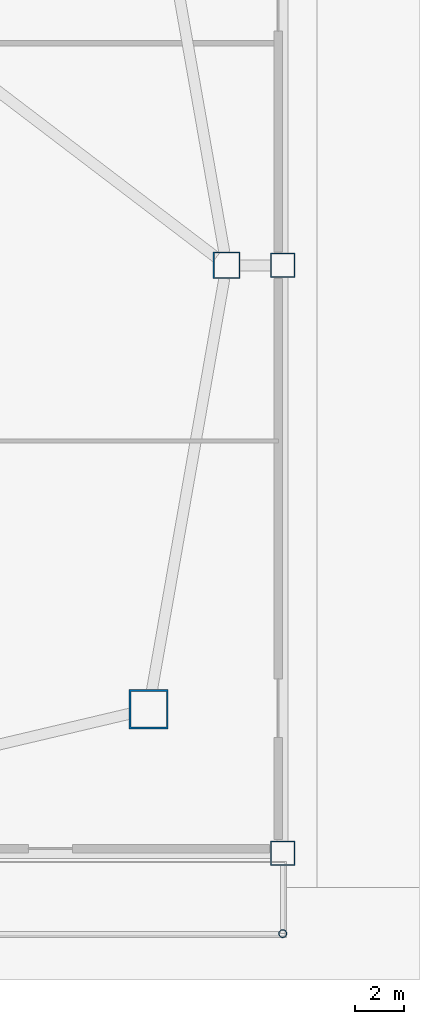
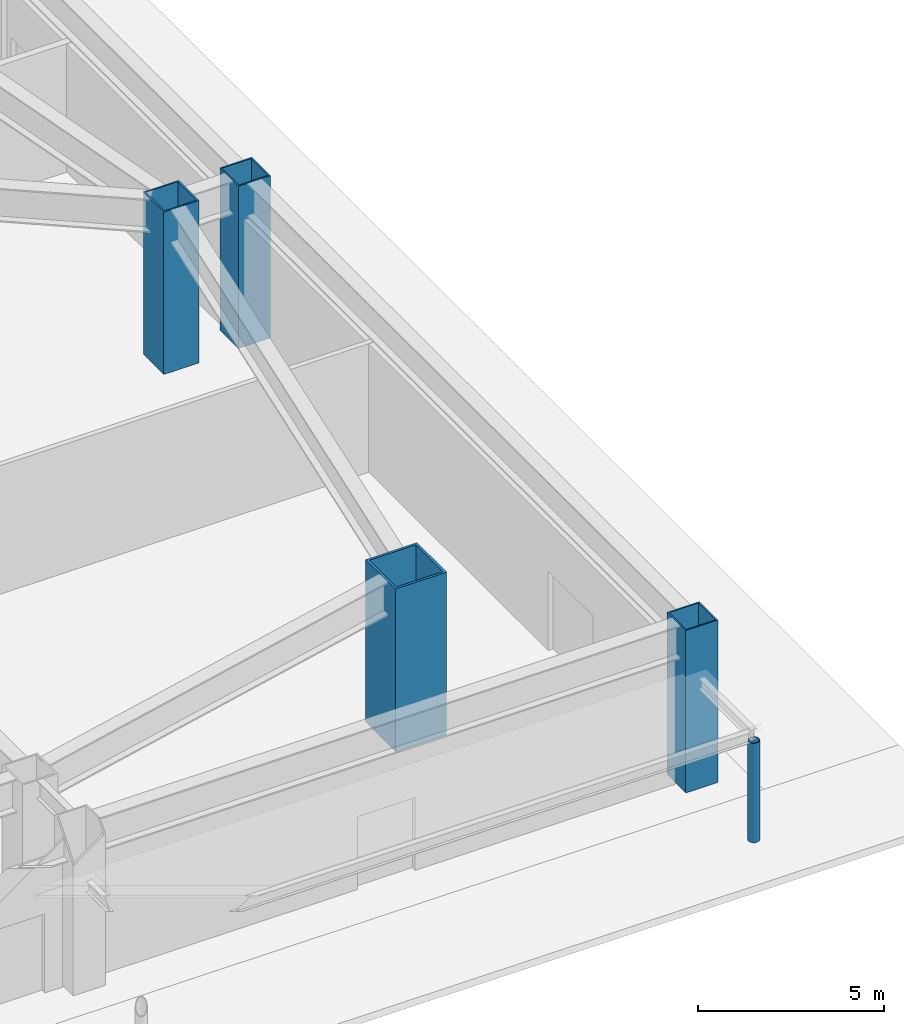
# One storey, part 4 of 18: 5 columns.
"""IFC4 building model written with IfcOpenShell, lengths in metres."""

from ifc_helpers import new_model, si_unit, direction, frame, origin, origin_2d, place, context, subcontext, project, spatial, hollow_rectangle, hollow_circle, extrude, source, transform, mapped, material, material_profile, profile_set, type_object, element, save


model = new_model("IFC4")

# Units and contexts
model_context = context("Model", 3, precision=1e-05, world=origin(), true_north=direction((0.0, 1.0)))
body_context = subcontext(model_context, "Body", "Model", "MODEL_VIEW")
ifc_project = project(units=[si_unit("LENGTHUNIT", "METRE"), si_unit("AREAUNIT", "SQUARE_METRE"), si_unit("VOLUMEUNIT", "CUBIC_METRE"), si_unit("PLANEANGLEUNIT", "RADIAN"), si_unit("MASSUNIT", "GRAM", prefix="KILO")], contexts=[model_context])

# Site, building, storey
site_placement = place(None, origin())
site = spatial("IfcSite", under=ifc_project, at=site_placement, CompositionType="ELEMENT")
building_placement = place(site_placement, origin())
building = spatial("IfcBuilding", under=site, at=building_placement, Name="Giltprow Tower", CompositionType="ELEMENT")
storey_placement = place(building_placement, origin())
storey = spatial("IfcBuildingStorey", under=building, at=storey_placement, Name="L01", CompositionType="ELEMENT", Elevation=0.0)

# Columns
ifc_material_1 = material(Name="Structural steel Q420GJC", Category="steel")
ifc_material_profile_1 = material_profile(ifc_material_1, hollow_rectangle(XDim=1.60009765625, YDim=1.60009765625, WallThickness=0.074951171875, at=origin_2d()), Name="BOX 1600x1600x75")
ifc_profile_set_1 = profile_set([ifc_material_profile_1], Name="Structural steel Q420GJC")
column_type_1 = type_object("IfcColumnType", Name="COL-BOX-1600x1600x75", PredefinedType="COLUMN", material=ifc_profile_set_1)
shared_shape_1 = source(origin(), body_context, "Body", "SweptSolid", [
    extrude(hollow_rectangle(XDim=1.60009765625, YDim=1.60009765625, WallThickness=0.074951171875, at=origin_2d()), origin(), (0.0, 0.0, 1.0), 5.340087890625),
])
column_1_placement = place(storey_placement, frame((64.10009765625, 6.5, 0.0), z_axis=(0.0, 0.0, 1.0), x_axis=(1.0, 0.0, 0.0)))
element("IfcColumn", 1, at=column_1_placement, inside=storey, type_object=column_type_1, Name="L01 Continuous Tower Column MC_SE", PredefinedType="COLUMN", context=body_context, shape_type="MappedRepresentation", body=[
    mapped(shared_shape_1, transform((0.0, 0.0, 0.0), x_axis=(1.0, 0.0, 0.0), y_axis=(0.0, 1.0, 0.0), z_axis=(0.0, 0.0, 1.0), scale=1.0)),
])
ifc_material_profile_2 = material_profile(ifc_material_1, hollow_rectangle(XDim=1.10009765625, YDim=1.10009765625, WallThickness=0.050048828125, at=origin_2d()), Name="BOX 1100x1100x50")
ifc_profile_set_2 = profile_set([ifc_material_profile_2], Name="Structural steel Q420GJC")
column_type_2 = type_object("IfcColumnType", Name="COL-BOX-1100x1100x50", PredefinedType="COLUMN", material=ifc_profile_set_2)
shared_shape_2 = source(origin(), body_context, "Body", "SweptSolid", [
    extrude(hollow_rectangle(XDim=1.10009765625, YDim=1.10009765625, WallThickness=0.050048828125, at=origin_2d()), origin(), (0.0, 0.0, 1.0), 5.340087890625),
])
column_2_placement = place(storey_placement, frame((67.300048828125, 24.699951171875, 0.0), z_axis=(0.0, 0.0, 1.0), x_axis=(1.0, 0.0, 0.0)))
element("IfcColumn", 2, at=column_2_placement, inside=storey, type_object=column_type_2, Name="L01 Continuous Tower Column E_MID", PredefinedType="COLUMN", context=body_context, shape_type="MappedRepresentation", body=[
    mapped(shared_shape_2, transform((0.0, 0.0, 0.0), x_axis=(1.0, 0.0, 0.0), y_axis=(0.0, 1.0, 0.0), z_axis=(0.0, 0.0, 1.0), scale=1.0)),
])
ifc_material_profile_3 = material_profile(ifc_material_1, hollow_rectangle(XDim=1.0, YDim=1.0, WallThickness=0.044921875, at=origin_2d()), Name="BOX 1000x1000x45")
ifc_profile_set_3 = profile_set([ifc_material_profile_3], Name="Structural steel Q420GJC")
column_type_3 = type_object("IfcColumnType", Name="COL-BOX-1000x1000x45", PredefinedType="COLUMN", material=ifc_profile_set_3)
shared_shape_3 = source(origin(), body_context, "Body", "SweptSolid", [
    extrude(hollow_rectangle(XDim=1.0, YDim=1.0, WallThickness=0.044921875, at=origin_2d()), origin(), (0.0, 0.0, 1.0), 5.340087890625),
])
for number, where, z_axis, x_axis, name in (
    (3, (69.60009765625, 0.60009765625, 0.0), (0.0, 0.0, 1.0), (1.0, 0.0, 0.0), "L01 Podium Column (69.6,0.6)"),
    (4, (69.60009765625, 24.699951171875, 0.0), (0.0, 0.0, 1.0), (1.0, 0.0, 0.0), "L01 Podium Column (69.6,24.7)"),
):
    element("IfcColumn", number, at=place(storey_placement, frame(where, z_axis=z_axis, x_axis=x_axis)), inside=storey, type_object=column_type_3, Name=name, PredefinedType="COLUMN", context=body_context, shape_type="MappedRepresentation", body=[
        mapped(shared_shape_3, transform((0.0, 0.0, 0.0), x_axis=(1.0, 0.0, 0.0), y_axis=(0.0, 1.0, 0.0), z_axis=(0.0, 0.0, 1.0), scale=1.0)),
    ])
ifc_material_2 = material(Name="Structural steel Q355B", Category="steel")
ifc_material_profile_4 = material_profile(ifc_material_2, hollow_circle(Radius=0.16259765625, WallThickness=0.01611328125, at=origin_2d()), Name="CHS 325x16")
ifc_profile_set_4 = profile_set([ifc_material_profile_4], Name="Structural steel Q355B")
column_type_4 = type_object("IfcColumnType", Name="COL-CANOPY-POST", PredefinedType="COLUMN", material=ifc_profile_set_4)
shared_shape_4 = source(origin(), body_context, "Body", "SweptSolid", [
    extrude(hollow_circle(Radius=0.16259765625, WallThickness=0.01611328125, at=origin_2d()), origin(), (0.0, 0.0, 1.0), 3.27001953125),
])
column_3_placement = place(storey_placement, frame((69.60009765625, -2.699951171875, 0.0), z_axis=(0.0, 0.0, 1.0), x_axis=(1.0, 0.0, 0.0)))
element("IfcColumn", 5, at=column_3_placement, inside=storey, type_object=column_type_4, Name="Promenade Canopy Front Column 7", PredefinedType="COLUMN", context=body_context, shape_type="MappedRepresentation", body=[
    mapped(shared_shape_4, transform((0.0, 0.0, 0.0), x_axis=(1.0, 0.0, 0.0), y_axis=(0.0, 1.0, 0.0), z_axis=(0.0, 0.0, 1.0), scale=1.0)),
])

save(model, "model.ifc")
